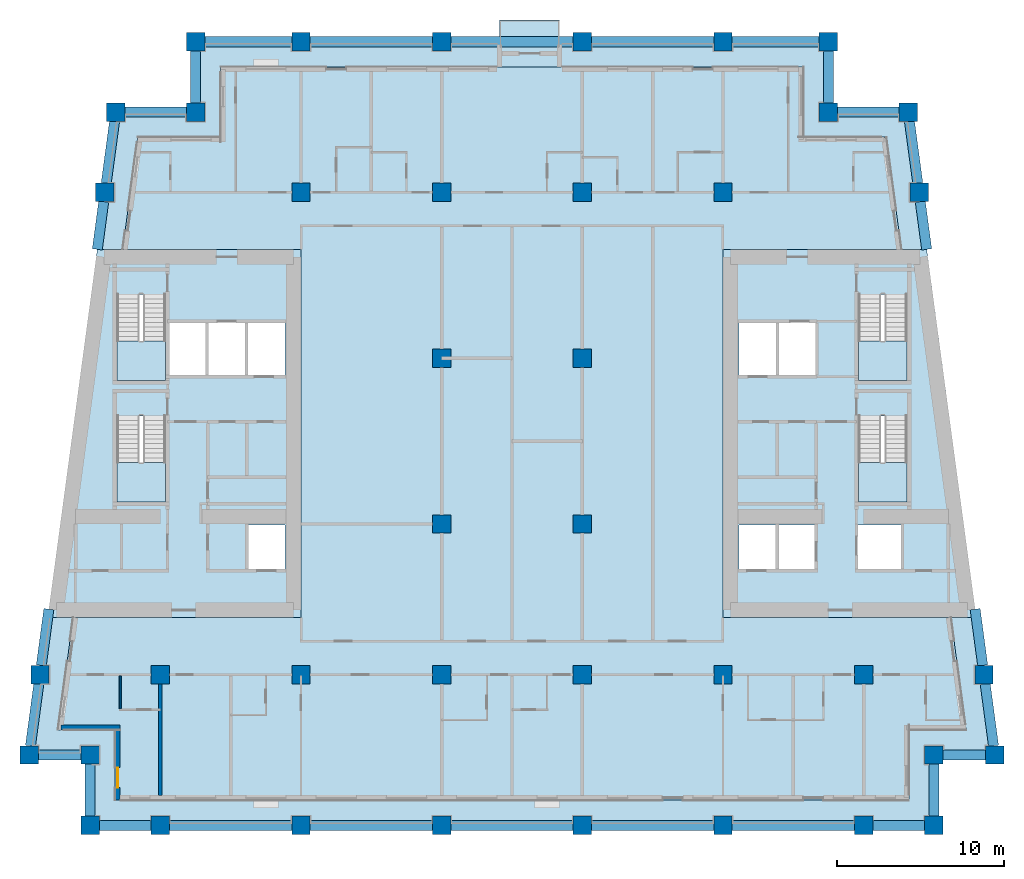
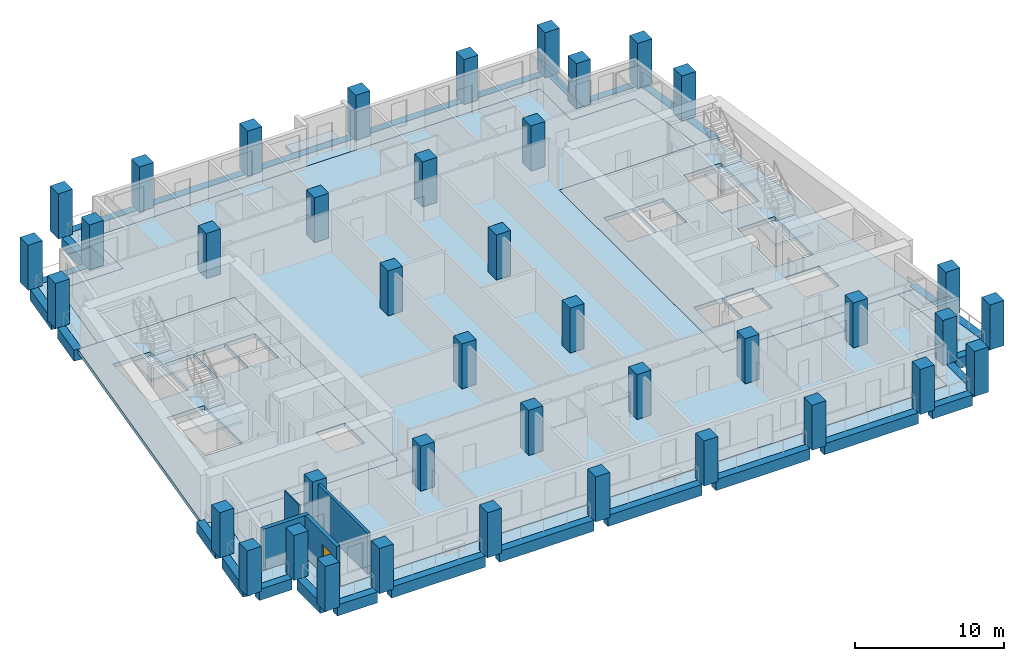
# One storey, part 1 of 13: 40 columns, 28 beams, 10 slabs, 4 walls, 1 door, 1 opening, 4 elements without a shape of their own.
"""IFC4 building model written with IfcOpenShell, lengths in metres."""

from ifc_helpers import new_model, si_unit, direction, frame, frame_2d, origin, origin_2d, place, context, subcontext, project, spatial, polyline, rectangle, outline, extrude, material, layer, layer_set, material_profile, profile_set, type_object, element, fill, aggregate, save


model = new_model("IFC4")

# Units and contexts
model_context = context("Model", 3, precision=1e-05, world=origin(), true_north=direction((0.0, 1.0)))
body_context = subcontext(model_context, "Body", "Model", "MODEL_VIEW")
ifc_project = project(units=[si_unit("LENGTHUNIT", "METRE"), si_unit("AREAUNIT", "SQUARE_METRE"), si_unit("VOLUMEUNIT", "CUBIC_METRE"), si_unit("PLANEANGLEUNIT", "RADIAN"), si_unit("MASSUNIT", "GRAM", prefix="KILO")], contexts=[model_context])

# Site, building, storey
site_placement = place(None, origin())
site = spatial("IfcSite", under=ifc_project, at=site_placement, CompositionType="ELEMENT")
building_placement = place(site_placement, origin())
building = spatial("IfcBuilding", under=site, at=building_placement, Name="Candeia Pilgrim Tower and Theatre", CompositionType="ELEMENT")
storey_placement = place(building_placement, frame((0.0, 0.0, 158.89990234375)))
storey = spatial("IfcBuildingStorey", under=building, at=storey_placement, Name="L37", CompositionType="ELEMENT", Elevation=158.89990234375)

# Columns
ifc_material_1 = material(Name="Concrete C60/75", Category="concrete")
ifc_material_profile_1 = material_profile(ifc_material_1, rectangle(XDim=1.10009765625, YDim=1.10009765625, at=origin_2d()))
ifc_profile_set_1 = profile_set([ifc_material_profile_1], Name="Concrete C60/75")
column_type = type_object("IfcColumnType", Name="RC 1100x1100 C60/75", PredefinedType="COLUMN", material=ifc_profile_set_1)
for number, where, z_axis, x_axis, name in (
    (1, (92.39990234375, 98.0, 0.0), (0.0, 0.0, 1.0), (1.0, 0.0, 0.0), "Column A1"),
    (2, (100.800048828125, 98.0, 0.0), (0.0, 0.0, 1.0), (1.0, 0.0, 0.0), "Column A2"),
    (3, (109.199951171875, 98.0, 0.0), (0.0, 0.0, 1.0), (1.0, 0.0, 0.0), "Column A3"),
    (4, (117.60009765625, 98.0, 0.0), (0.0, 0.0, 1.0), (1.0, 0.0, 0.0), "Column A4"),
    (5, (126.0, 98.0, 0.0), (0.0, 0.0, 1.0), (1.0, 0.0, 0.0), "Column A5"),
    (6, (134.39990234375, 98.0, 0.0), (0.0, 0.0, 1.0), (1.0, 0.0, 0.0), "Column A6"),
    (7, (88.199951171875, 98.0, 0.0), (0.0, 0.0, 1.0), (1.0, 0.0, 0.0), "Column AW"),
    (8, (138.60009765625, 98.0, 0.0), (0.0, 0.0, 1.0), (1.0, 0.0, 0.0), "Column AE"),
    (9, (88.199951171875, 102.199951171875, 0.0), (0.0, 0.0, 1.0), (1.0, 0.0, 0.0), "Column NSW"),
    (10, (138.60009765625, 102.199951171875, 0.0), (0.0, 0.0, 1.0), (1.0, 0.0, 0.0), "Column NSE"),
    (11, (94.5, 140.60009765625, 0.0), (0.0, 0.0, 1.0), (1.0, 0.0, 0.0), "Column NNW"),
    (12, (132.300048828125, 140.60009765625, 0.0), (0.0, 0.0, 1.0), (1.0, 0.0, 0.0), "Column NNE"),
    (13, (84.5654296875, 102.199951171875, 0.0), (0.0, 0.0, 1.0), (1.0, 0.0, 0.0), "Column LSW"),
    (14, (142.234619140625, 102.199951171875, 0.0), (0.0, 0.0, 1.0), (1.0, 0.0, 0.0), "Column LSE"),
    (15, (89.734619140625, 140.60009765625, 0.0), (0.0, 0.0, 1.0), (1.0, 0.0, 0.0), "Column LNW"),
    (16, (137.0654296875, 140.60009765625, 0.0), (0.0, 0.0, 1.0), (1.0, 0.0, 0.0), "Column LNE"),
    (17, (92.39990234375, 107.0, 0.0), (0.0, 0.0, 1.0), (1.0, 0.0, 0.0), "Column B1"),
    (18, (100.800048828125, 107.0, 0.0), (0.0, 0.0, 1.0), (1.0, 0.0, 0.0), "Column B2"),
    (19, (109.199951171875, 107.0, 0.0), (0.0, 0.0, 1.0), (1.0, 0.0, 0.0), "Column B3"),
    (20, (117.60009765625, 107.0, 0.0), (0.0, 0.0, 1.0), (1.0, 0.0, 0.0), "Column B4"),
    (21, (126.0, 107.0, 0.0), (0.0, 0.0, 1.0), (1.0, 0.0, 0.0), "Column B5"),
    (22, (134.39990234375, 107.0, 0.0), (0.0, 0.0, 1.0), (1.0, 0.0, 0.0), "Column B6"),
    (23, (85.21142578125, 107.0, 0.0), (0.0, 0.0, 1.0), (1.0, 0.0, 0.0), "Column BW"),
    (24, (141.58837890625, 107.0, 0.0), (0.0, 0.0, 1.0), (1.0, 0.0, 0.0), "Column BE"),
    (25, (109.199951171875, 116.0, 0.0), (0.0, 0.0, 1.0), (1.0, 0.0, 0.0), "Column C3"),
    (26, (117.60009765625, 116.0, 0.0), (0.0, 0.0, 1.0), (1.0, 0.0, 0.0), "Column C4"),
    (27, (109.199951171875, 125.89990234375, 0.0), (0.0, 0.0, 1.0), (1.0, 0.0, 0.0), "Column D3"),
    (28, (117.60009765625, 125.89990234375, 0.0), (0.0, 0.0, 1.0), (1.0, 0.0, 0.0), "Column D4"),
    (29, (100.800048828125, 135.800048828125, 0.0), (0.0, 0.0, 1.0), (1.0, 0.0, 0.0), "Column E2"),
    (30, (109.199951171875, 135.800048828125, 0.0), (0.0, 0.0, 1.0), (1.0, 0.0, 0.0), "Column E3"),
    (31, (117.60009765625, 135.800048828125, 0.0), (0.0, 0.0, 1.0), (1.0, 0.0, 0.0), "Column E4"),
    (32, (126.0, 135.800048828125, 0.0), (0.0, 0.0, 1.0), (1.0, 0.0, 0.0), "Column E5"),
    (33, (89.08837890625, 135.800048828125, 0.0), (0.0, 0.0, 1.0), (1.0, 0.0, 0.0), "Column EW"),
    (34, (137.71142578125, 135.800048828125, 0.0), (0.0, 0.0, 1.0), (1.0, 0.0, 0.0), "Column EE"),
    (35, (100.800048828125, 144.800048828125, 0.0), (0.0, 0.0, 1.0), (1.0, 0.0, 0.0), "Column F2"),
    (36, (109.199951171875, 144.800048828125, 0.0), (0.0, 0.0, 1.0), (1.0, 0.0, 0.0), "Column F3"),
    (37, (117.60009765625, 144.800048828125, 0.0), (0.0, 0.0, 1.0), (1.0, 0.0, 0.0), "Column F4"),
    (38, (126.0, 144.800048828125, 0.0), (0.0, 0.0, 1.0), (1.0, 0.0, 0.0), "Column F5"),
    (39, (94.5, 144.800048828125, 0.0), (0.0, 0.0, 1.0), (1.0, 0.0, 0.0), "Column FW"),
    (40, (132.300048828125, 144.800048828125, 0.0), (0.0, 0.0, 1.0), (1.0, 0.0, 0.0), "Column FE"),
):
    element("IfcColumn", number, at=place(storey_placement, frame(where, z_axis=z_axis, x_axis=x_axis)), inside=storey, type_object=column_type, Name=name, PredefinedType="COLUMN", context=body_context, shape_type="SweptSolid", body=[
        extrude(rectangle(XDim=1.10009765625, YDim=1.10009765625, at=origin_2d()), origin(), (0.0, 0.0, 1.0), 3.7001953125),
    ])

# Beams
ifc_material_profile_2 = material_profile(ifc_material_1, rectangle(XDim=0.60009765625, YDim=0.89990234375, at=origin_2d()))
ifc_profile_set_2 = profile_set([ifc_material_profile_2], Name="Concrete C60/75")
beam_type = type_object("IfcBeamType", Name="RC 600x900 C60/75", PredefinedType="BEAM", material=ifc_profile_set_2)
beam_1_placement = place(storey_placement, frame((88.75, 98.0, -0.449951171875), z_axis=(1.0, 0.0, 0.0), x_axis=(0.0, 1.0, 0.0)))
element("IfcBeam", 41, at=beam_1_placement, inside=storey, type_object=beam_type, Name="Spandrel beam L37-01", PredefinedType="BEAM", context=body_context, shape_type="SweptSolid", body=[
    extrude(rectangle(XDim=0.60009765625, YDim=0.89990234375, at=origin_2d()), origin(), (0.0, 0.0, 1.0), 3.10009765625),
])
beam_2_placement = place(storey_placement, frame((92.949951171875, 98.0, -0.449951171875), z_axis=(1.0, 0.0, 0.0), x_axis=(0.0, 1.0, 0.0)))
element("IfcBeam", 42, at=beam_2_placement, inside=storey, type_object=beam_type, Name="Spandrel beam L37-02", PredefinedType="BEAM", context=body_context, shape_type="SweptSolid", body=[
    extrude(rectangle(XDim=0.60009765625, YDim=0.89990234375, at=origin_2d()), origin(), (0.0, 0.0, 1.0), 7.300048828125),
])
beam_3_placement = place(storey_placement, frame((101.35009765625, 98.0, -0.449951171875), z_axis=(1.0, 0.0, 0.0), x_axis=(0.0, 1.0, 0.0)))
element("IfcBeam", 43, at=beam_3_placement, inside=storey, type_object=beam_type, Name="Spandrel beam L37-03", PredefinedType="BEAM", context=body_context, shape_type="SweptSolid", body=[
    extrude(rectangle(XDim=0.60009765625, YDim=0.89990234375, at=origin_2d()), origin(), (0.0, 0.0, 1.0), 7.2998046875),
])
for number, where, z_axis, x_axis, name in (
    (44, (109.75, 98.0, -0.449951171875), (1.0, 0.0, 0.0), (0.0, 1.0, 0.0), "Spandrel beam L37-04"),
    (45, (118.14990234375, 98.0, -0.449951171875), (1.0, 0.0, 0.0), (0.0, 1.0, 0.0), "Spandrel beam L37-05"),
    (46, (126.550048828125, 98.0, -0.449951171875), (1.0, 0.0, 0.0), (0.0, 1.0, 0.0), "Spandrel beam L37-06"),
):
    element("IfcBeam", number, at=place(storey_placement, frame(where, z_axis=z_axis, x_axis=x_axis)), inside=storey, type_object=beam_type, Name=name, PredefinedType="BEAM", context=body_context, shape_type="SweptSolid", body=[
        extrude(rectangle(XDim=0.60009765625, YDim=0.89990234375, at=origin_2d()), origin(), (0.0, 0.0, 1.0), 7.300048828125),
    ])
beam_4_placement = place(storey_placement, frame((134.949951171875, 98.0, -0.449951171875), z_axis=(1.0, 0.0, 0.0), x_axis=(0.0, 1.0, 0.0)))
element("IfcBeam", 47, at=beam_4_placement, inside=storey, type_object=beam_type, Name="Spandrel beam L37-07", PredefinedType="BEAM", context=body_context, shape_type="SweptSolid", body=[
    extrude(rectangle(XDim=0.60009765625, YDim=0.89990234375, at=origin_2d()), origin(), (0.0, 0.0, 1.0), 3.10009765625),
])
beam_5_placement = place(storey_placement, frame((138.60009765625, 98.550048828125, -0.449951171875), z_axis=(0.0, 1.0, 0.0), x_axis=(-1.0, 0.0, 0.0)))
element("IfcBeam", 48, at=beam_5_placement, inside=storey, type_object=beam_type, Name="Spandrel beam L37-08", PredefinedType="BEAM", context=body_context, shape_type="SweptSolid", body=[
    extrude(rectangle(XDim=0.60009765625, YDim=0.89990234375, at=origin_2d()), origin(), (0.0, 0.0, 1.0), 3.099853515625),
])
beam_6_placement = place(storey_placement, frame((139.14990234375, 102.199951171875, -0.449951171875), z_axis=(1.0, 0.0, 0.0), x_axis=(0.0, 1.0, 0.0)))
element("IfcBeam", 49, at=beam_6_placement, inside=storey, type_object=beam_type, Name="Spandrel beam L37-09", PredefinedType="BEAM", context=body_context, shape_type="SweptSolid", body=[
    extrude(rectangle(XDim=0.60009765625, YDim=0.89990234375, at=origin_2d()), origin(), (0.0, 0.0, 1.0), 2.53466796875),
])
beam_7_placement = place(storey_placement, frame((142.16064453125, 102.75, -0.449951171875), z_axis=(-0.133405836075, 0.991061492997, 0.0), x_axis=(-0.991061492997, -0.133405836075, 0.0)))
element("IfcBeam", 50, at=beam_7_placement, inside=storey, type_object=beam_type, Name="Spandrel beam L37-10", PredefinedType="BEAM", context=body_context, shape_type="SweptSolid", body=[
    extrude(rectangle(XDim=0.60009765625, YDim=0.89990234375, at=origin_2d()), origin(), (0.0, 0.0, 1.0), 3.7333984375),
])
beam_8_placement = place(storey_placement, frame((141.514404296875, 107.550048828125, -0.449951171875), z_axis=(-0.133432414187, 0.99105791498, 0.0), x_axis=(-0.99105791498, -0.133432414187, 0.0)))
element("IfcBeam", 51, at=beam_8_placement, inside=storey, type_object=beam_type, Name="Spandrel beam L37-11", PredefinedType="BEAM", context=body_context, shape_type="SweptSolid", body=[
    extrude(rectangle(XDim=0.60009765625, YDim=0.89990234375, at=origin_2d()), origin(), (0.0, 0.0, 1.0), 3.390380859375),
])
beam_9_placement = place(storey_placement, frame((138.169189453125, 132.39990234375, -0.449951171875), z_axis=(-0.133370319951, 0.99106627314, 0.0), x_axis=(-0.99106627314, -0.133370319951, 0.0)))
element("IfcBeam", 52, at=beam_9_placement, inside=storey, type_object=beam_type, Name="Spandrel beam L37-12", PredefinedType="BEAM", context=body_context, shape_type="SweptSolid", body=[
    extrude(rectangle(XDim=0.60009765625, YDim=0.89990234375, at=origin_2d()), origin(), (0.0, 0.0, 1.0), 2.875732421875),
])
beam_10_placement = place(storey_placement, frame((137.637451171875, 136.35009765625, -0.449951171875), z_axis=(-0.133405836075, 0.991061492997, 0.0), x_axis=(-0.991061492997, -0.133405836075, 0.0)))
element("IfcBeam", 53, at=beam_10_placement, inside=storey, type_object=beam_type, Name="Spandrel beam L37-13", PredefinedType="BEAM", context=body_context, shape_type="SweptSolid", body=[
    extrude(rectangle(XDim=0.60009765625, YDim=0.89990234375, at=origin_2d()), origin(), (0.0, 0.0, 1.0), 3.7333984375),
])
beam_11_placement = place(storey_placement, frame((136.515380859375, 140.60009765625, -0.449951171875), z_axis=(-1.0, 0.0, 0.0), x_axis=(0.0, -1.0, 0.0)))
element("IfcBeam", 54, at=beam_11_placement, inside=storey, type_object=beam_type, Name="Spandrel beam L37-14", PredefinedType="BEAM", context=body_context, shape_type="SweptSolid", body=[
    extrude(rectangle(XDim=0.60009765625, YDim=0.89990234375, at=origin_2d()), origin(), (0.0, 0.0, 1.0), 3.665283203125),
])
beam_12_placement = place(storey_placement, frame((132.300048828125, 141.14990234375, -0.449951171875), z_axis=(0.0, 1.0, 0.0), x_axis=(-1.0, 0.0, 0.0)))
element("IfcBeam", 55, at=beam_12_placement, inside=storey, type_object=beam_type, Name="Spandrel beam L37-15", PredefinedType="BEAM", context=body_context, shape_type="SweptSolid", body=[
    extrude(rectangle(XDim=0.60009765625, YDim=0.89990234375, at=origin_2d()), origin(), (0.0, 0.0, 1.0), 3.10009765625),
])
beam_13_placement = place(storey_placement, frame((131.75, 144.800048828125, -0.449951171875), z_axis=(-1.0, 0.0, 0.0), x_axis=(0.0, -1.0, 0.0)))
element("IfcBeam", 56, at=beam_13_placement, inside=storey, type_object=beam_type, Name="Spandrel beam L37-16", PredefinedType="BEAM", context=body_context, shape_type="SweptSolid", body=[
    extrude(rectangle(XDim=0.60009765625, YDim=0.89990234375, at=origin_2d()), origin(), (0.0, 0.0, 1.0), 5.199951171875),
])
for number, where, z_axis, x_axis, name in (
    (57, (125.449951171875, 144.800048828125, -0.449951171875), (-1.0, 0.0, 0.0), (0.0, -1.0, 0.0), "Spandrel beam L37-17"),
    (58, (117.050048828125, 144.800048828125, -0.449951171875), (-1.0, 0.0, 0.0), (0.0, -1.0, 0.0), "Spandrel beam L37-18"),
):
    element("IfcBeam", number, at=place(storey_placement, frame(where, z_axis=z_axis, x_axis=x_axis)), inside=storey, type_object=beam_type, Name=name, PredefinedType="BEAM", context=body_context, shape_type="SweptSolid", body=[
        extrude(rectangle(XDim=0.60009765625, YDim=0.89990234375, at=origin_2d()), origin(), (0.0, 0.0, 1.0), 7.300048828125),
    ])
beam_14_placement = place(storey_placement, frame((108.64990234375, 144.800048828125, -0.449951171875), z_axis=(-1.0, 0.0, 0.0), x_axis=(0.0, -1.0, 0.0)))
element("IfcBeam", 59, at=beam_14_placement, inside=storey, type_object=beam_type, Name="Spandrel beam L37-19", PredefinedType="BEAM", context=body_context, shape_type="SweptSolid", body=[
    extrude(rectangle(XDim=0.60009765625, YDim=0.89990234375, at=origin_2d()), origin(), (0.0, 0.0, 1.0), 7.2998046875),
])
beam_15_placement = place(storey_placement, frame((100.25, 144.800048828125, -0.449951171875), z_axis=(-1.0, 0.0, 0.0), x_axis=(0.0, -1.0, 0.0)))
element("IfcBeam", 60, at=beam_15_placement, inside=storey, type_object=beam_type, Name="Spandrel beam L37-20", PredefinedType="BEAM", context=body_context, shape_type="SweptSolid", body=[
    extrude(rectangle(XDim=0.60009765625, YDim=0.89990234375, at=origin_2d()), origin(), (0.0, 0.0, 1.0), 5.199951171875),
])
beam_16_placement = place(storey_placement, frame((94.5, 144.25, -0.449951171875), z_axis=(0.0, -1.0, 0.0), x_axis=(1.0, 0.0, 0.0)))
element("IfcBeam", 61, at=beam_16_placement, inside=storey, type_object=beam_type, Name="Spandrel beam L37-21", PredefinedType="BEAM", context=body_context, shape_type="SweptSolid", body=[
    extrude(rectangle(XDim=0.60009765625, YDim=0.89990234375, at=origin_2d()), origin(), (0.0, 0.0, 1.0), 3.10009765625),
])
beam_17_placement = place(storey_placement, frame((93.949951171875, 140.60009765625, -0.449951171875), z_axis=(-1.0, 0.0, 0.0), x_axis=(0.0, -1.0, 0.0)))
element("IfcBeam", 62, at=beam_17_placement, inside=storey, type_object=beam_type, Name="Spandrel beam L37-22", PredefinedType="BEAM", context=body_context, shape_type="SweptSolid", body=[
    extrude(rectangle(XDim=0.60009765625, YDim=0.89990234375, at=origin_2d()), origin(), (0.0, 0.0, 1.0), 3.665283203125),
])
beam_18_placement = place(storey_placement, frame((89.66064453125, 140.050048828125, -0.449951171875), z_axis=(-0.133405836075, -0.991061492997, 0.0), x_axis=(0.991061492997, -0.133405836075, 0.0)))
element("IfcBeam", 63, at=beam_18_placement, inside=storey, type_object=beam_type, Name="Spandrel beam L37-23", PredefinedType="BEAM", context=body_context, shape_type="SweptSolid", body=[
    extrude(rectangle(XDim=0.60009765625, YDim=0.89990234375, at=origin_2d()), origin(), (0.0, 0.0, 1.0), 3.7333984375),
])
beam_19_placement = place(storey_placement, frame((89.014404296875, 135.25, -0.449951171875), z_axis=(-0.133370319951, -0.99106627314, 0.0), x_axis=(0.99106627314, -0.133370319951, 0.0)))
element("IfcBeam", 64, at=beam_19_placement, inside=storey, type_object=beam_type, Name="Spandrel beam L37-24", PredefinedType="BEAM", context=body_context, shape_type="SweptSolid", body=[
    extrude(rectangle(XDim=0.60009765625, YDim=0.89990234375, at=origin_2d()), origin(), (0.0, 0.0, 1.0), 2.875732421875),
])
beam_20_placement = place(storey_placement, frame((85.73779296875, 110.91015625, -0.449951171875), z_axis=(-0.133361686371, -0.991067434945, 0.0), x_axis=(0.991067434945, -0.133361686371, 0.0)))
element("IfcBeam", 65, at=beam_20_placement, inside=storey, type_object=beam_type, Name="Spandrel beam L37-25", PredefinedType="BEAM", context=body_context, shape_type="SweptSolid", body=[
    extrude(rectangle(XDim=0.60009765625, YDim=0.89990234375, at=origin_2d()), origin(), (0.0, 0.0, 1.0), 3.390380859375),
])
beam_21_placement = place(storey_placement, frame((85.137451171875, 106.449951171875, -0.449951171875), z_axis=(-0.133405836075, -0.991061492997, 0.0), x_axis=(0.991061492997, -0.133405836075, 0.0)))
element("IfcBeam", 66, at=beam_21_placement, inside=storey, type_object=beam_type, Name="Spandrel beam L37-26", PredefinedType="BEAM", context=body_context, shape_type="SweptSolid", body=[
    extrude(rectangle(XDim=0.60009765625, YDim=0.89990234375, at=origin_2d()), origin(), (0.0, 0.0, 1.0), 3.7333984375),
])
beam_22_placement = place(storey_placement, frame((85.115478515625, 102.199951171875, -0.449951171875), z_axis=(1.0, 0.0, 0.0), x_axis=(0.0, 1.0, 0.0)))
element("IfcBeam", 67, at=beam_22_placement, inside=storey, type_object=beam_type, Name="Spandrel beam L37-27", PredefinedType="BEAM", context=body_context, shape_type="SweptSolid", body=[
    extrude(rectangle(XDim=0.60009765625, YDim=0.89990234375, at=origin_2d()), origin(), (0.0, 0.0, 1.0), 2.534423828125),
])
beam_23_placement = place(storey_placement, frame((88.199951171875, 101.64990234375, -0.449951171875), z_axis=(0.0, -1.0, 0.0), x_axis=(1.0, 0.0, 0.0)))
element("IfcBeam", 68, at=beam_23_placement, inside=storey, type_object=beam_type, Name="Spandrel beam L37-28", PredefinedType="BEAM", context=body_context, shape_type="SweptSolid", body=[
    extrude(rectangle(XDim=0.60009765625, YDim=0.89990234375, at=origin_2d()), origin(), (0.0, 0.0, 1.0), 3.099853515625),
])

# Slabs
ifc_material_2 = material(Name="Concrete C40/50", Category="concrete")
ifc_layer_1 = layer(ifc_material_2, 0.25)
ifc_layer_set_1 = layer_set([ifc_layer_1], Name="BK1 balcony slab 250")
slab_type_1 = type_object("IfcSlabType", Name="BK1 balcony slab 250", PredefinedType="USERDEFINED", material=ifc_layer_set_1)
slab_1_placement = place(storey_placement, frame((0.0, 0.0, -0.25)))
element("IfcSlab", 69, at=slab_1_placement, inside=storey, type_object=slab_type_1, Name="Balcony L37", ObjectType="BALCONY", PredefinedType="USERDEFINED", context=body_context, shape_type="SweptSolid", body=[
    extrude(outline(polyline([(112.64990234375, 144.5), (116.25, 144.5), (116.25, 146.10009765625), (112.64990234375, 146.10009765625), (112.64990234375, 144.5)])), origin(), (0.0, 0.0, 1.0), 0.25),
])
ifc_layer_2 = layer(ifc_material_1, 0.320068359375)
ifc_layer_set_2 = layer_set([ifc_layer_2], Name="FS-CORE 320 core floor")
slab_type_2 = type_object("IfcSlabType", Name="FS-CORE 320 core floor", PredefinedType="FLOOR", material=ifc_layer_set_2)
slab_2_placement = place(storey_placement, frame((0.0, 0.0, -0.31982421875)))
element("IfcSlab", 70, at=slab_2_placement, inside=storey, type_object=slab_type_2, Name="Core floor W L37", PredefinedType="FLOOR", context=body_context, shape_type="SweptSolid", body=[
    extrude(outline(polyline([(100.800048828125, 132.39990234375), (100.800048828125, 110.39990234375), (85.669189453125, 110.39990234375), (88.630859375, 132.39990234375), (100.800048828125, 132.39990234375)]), holes=[polyline([(97.59228515625, 128.050048828125), (97.59228515625, 124.85009765625), (99.85009765625, 124.85009765625), (99.85009765625, 128.050048828125), (97.59228515625, 128.050048828125)]), polyline([(97.613525390625, 113.25), (99.85009765625, 113.25), (99.85009765625, 115.949951171875), (97.613525390625, 115.949951171875), (97.613525390625, 113.25)]), polyline([(95.234619140625, 124.85009765625), (97.4921875, 124.85009765625), (97.4921875, 128.050048828125), (95.234619140625, 128.050048828125), (95.234619140625, 124.85009765625)]), polyline([(92.876953125, 128.050048828125), (92.876953125, 124.85009765625), (95.134765625, 124.85009765625), (95.134765625, 128.050048828125), (92.876953125, 128.050048828125)]), polyline([(89.802001953125, 122.455078125), (89.802001953125, 117.324951171875), (92.701904296875, 117.324951171875), (92.701904296875, 122.455078125), (89.802001953125, 122.455078125)]), polyline([(89.802001953125, 129.705078125), (89.802001953125, 124.574951171875), (92.701904296875, 124.574951171875), (92.701904296875, 129.705078125), (89.802001953125, 129.705078125)])]), origin(), (0.0, 0.0, 1.0), 0.31982421875),
])
slab_3_placement = place(storey_placement, frame((0.0, 0.0, -0.31982421875)))
element("IfcSlab", 71, at=slab_3_placement, inside=storey, type_object=slab_type_2, Name="Core floor E L37", PredefinedType="FLOOR", context=body_context, shape_type="SweptSolid", body=[
    extrude(outline(polyline([(138.169189453125, 132.39990234375), (141.130859375, 110.39990234375), (126.0, 110.39990234375), (126.0, 132.39990234375), (138.169189453125, 132.39990234375)]), holes=[polyline([(134.097900390625, 122.455078125), (134.097900390625, 117.324951171875), (136.998046875, 117.324951171875), (136.998046875, 122.455078125), (134.097900390625, 122.455078125)]), polyline([(134.097900390625, 129.705078125), (134.097900390625, 124.574951171875), (136.998046875, 124.574951171875), (136.998046875, 129.705078125), (134.097900390625, 129.705078125)]), polyline([(136.672607421875, 115.949951171875), (134.02294921875, 115.949951171875), (134.02294921875, 113.25), (136.672607421875, 113.25), (136.672607421875, 115.949951171875)]), polyline([(131.565185546875, 128.050048828125), (129.3076171875, 128.050048828125), (129.3076171875, 124.85009765625), (131.565185546875, 124.85009765625), (131.565185546875, 128.050048828125)]), polyline([(131.52294921875, 115.949951171875), (129.28662109375, 115.949951171875), (129.28662109375, 113.25), (131.52294921875, 113.25), (131.52294921875, 115.949951171875)]), polyline([(129.207763671875, 128.050048828125), (126.949951171875, 128.050048828125), (126.949951171875, 124.85009765625), (129.207763671875, 124.85009765625), (129.207763671875, 128.050048828125)]), polyline([(126.949951171875, 115.949951171875), (126.949951171875, 113.25), (129.1865234375, 113.25), (129.1865234375, 115.949951171875), (126.949951171875, 115.949951171875)])]), origin(), (0.0, 0.0, 1.0), 0.31982421875),
])
ifc_material_3 = material(Name="Concrete C50/60", Category="concrete")
ifc_layer_3 = layer(ifc_material_3, 0.320068359375)
ifc_layer_set_3 = layer_set([ifc_layer_3], Name="Floor slab 320 C50/60")
slab_type_3 = type_object("IfcSlabType", Name="Floor slab 320 C50/60", PredefinedType="FLOOR", material=ifc_layer_set_3)
slab_4_placement = place(storey_placement, frame((0.0, 0.0, -0.31982421875)))
element("IfcSlab", 72, at=slab_4_placement, inside=storey, type_object=slab_type_3, Name="Floor slab L37", PredefinedType="FLOOR", context=body_context, shape_type="SweptSolid", body=[
    extrude(outline(polyline([(96.0, 139.10009765625), (96.0, 143.300048828125), (130.800048828125, 143.300048828125), (130.800048828125, 139.10009765625), (135.753662109375, 139.10009765625), (136.65576171875, 132.39990234375), (126.0, 132.39990234375), (126.0, 110.39990234375), (139.6171875, 110.39990234375), (140.51904296875, 103.699951171875), (137.10009765625, 103.699951171875), (137.10009765625, 99.5), (89.699951171875, 99.5), (89.699951171875, 103.699951171875), (86.28076171875, 103.699951171875), (87.182861328125, 110.39990234375), (100.800048828125, 110.39990234375), (100.800048828125, 132.39990234375), (90.144287109375, 132.39990234375), (91.046142578125, 139.10009765625), (96.0, 139.10009765625)])), origin(), (0.0, 0.0, 1.0), 0.31982421875),
])
ifc_layer_4 = layer(ifc_material_2, 0.25)
ifc_layer_set_4 = layer_set([ifc_layer_4], Name="Loggia slab 250 C40/50")
slab_type_4 = type_object("IfcSlabType", Name="Loggia slab 250 C40/50", PredefinedType="FLOOR", material=ifc_layer_set_4)
slab_5_placement = place(storey_placement, frame((0.0, 0.0, -0.25)))
element("IfcSlab", 73, at=slab_5_placement, inside=storey, type_object=slab_type_4, Name="Loggia slab L37 1", PredefinedType="FLOOR", context=body_context, shape_type="SweptSolid", body=[
    extrude(outline(polyline([(87.182861328125, 110.39990234375), (86.28076171875, 103.699951171875), (89.699951171875, 103.699951171875), (89.699951171875, 99.5), (137.10009765625, 99.5), (137.10009765625, 103.699951171875), (140.51904296875, 103.699951171875), (139.6171875, 110.39990234375), (140.828125, 110.39990234375), (141.8916015625, 102.5), (138.300048828125, 102.5), (138.300048828125, 98.300048828125), (88.5, 98.300048828125), (88.5, 102.5), (84.908447265625, 102.5), (85.971923828125, 110.39990234375), (87.182861328125, 110.39990234375)])), origin(), (0.0, 0.0, 1.0), 0.25),
])
slab_6_placement = place(storey_placement, frame((0.0, 0.0, -0.25)))
element("IfcSlab", 74, at=slab_6_placement, inside=storey, type_object=slab_type_4, Name="Loggia slab L37 2", PredefinedType="FLOOR", context=body_context, shape_type="SweptSolid", body=[
    extrude(outline(polyline([(136.65576171875, 132.39990234375), (135.753662109375, 139.10009765625), (130.800048828125, 139.10009765625), (130.800048828125, 143.300048828125), (96.0, 143.300048828125), (96.0, 139.10009765625), (91.046142578125, 139.10009765625), (90.144287109375, 132.39990234375), (88.93359375, 132.39990234375), (89.996826171875, 140.300048828125), (94.800048828125, 140.300048828125), (94.800048828125, 144.5), (132.0, 144.5), (132.0, 140.300048828125), (136.802978515625, 140.300048828125), (137.866455078125, 132.39990234375), (136.65576171875, 132.39990234375)])), origin(), (0.0, 0.0, 1.0), 0.25),
])

# Stair, slab
stair_type = type_object("IfcStairType", Name="ST-TWR dog-leg escape stair", PredefinedType="HALF_TURN_STAIR", material=ifc_material_2)
stair_1_placement = place(storey_placement, origin())
stair_1 = element("IfcStair", 75, at=stair_1_placement, inside=storey, type_object=stair_type, Name="L37 Escape stair ST1", PredefinedType="HALF_TURN_STAIR")
ifc_layer_5 = layer(ifc_material_2, 0.199951171875)
ifc_layer_set_5 = layer_set([ifc_layer_5], Name="SL-LANDING stair landing")
slab_type_5 = type_object("IfcSlabType", Name="SL-LANDING stair landing", PredefinedType="LANDING", material=ifc_layer_set_5)
slab_7_placement = place(storey_placement, frame((0.0, 0.0, 1.650146484375)))
slab_7 = element("IfcSlab", 76, at=slab_7_placement, type_object=slab_type_5, Name="ST1 landing 1", PredefinedType="LANDING", context=body_context, shape_type="SweptSolid", body=[
    extrude(outline(polyline([(89.802001953125, 119.675048828125), (89.802001953125, 117.324951171875), (92.701904296875, 117.324951171875), (92.701904296875, 119.675048828125), (89.802001953125, 119.675048828125)])), origin(), (0.0, 0.0, 1.0), 0.199951171875),
])
aggregate(stair_1, [slab_7])

stair_2_placement = place(storey_placement, origin())
stair_2 = element("IfcStair", 77, at=stair_2_placement, inside=storey, type_object=stair_type, Name="L37 Escape stair ST2", PredefinedType="HALF_TURN_STAIR")
slab_8_placement = place(storey_placement, frame((0.0, 0.0, 1.650146484375)))
slab_8 = element("IfcSlab", 78, at=slab_8_placement, type_object=slab_type_5, Name="ST2 landing 1", PredefinedType="LANDING", context=body_context, shape_type="SweptSolid", body=[
    extrude(outline(polyline([(89.802001953125, 126.925048828125), (89.802001953125, 124.574951171875), (92.701904296875, 124.574951171875), (92.701904296875, 126.925048828125), (89.802001953125, 126.925048828125)])), origin(), (0.0, 0.0, 1.0), 0.199951171875),
])
aggregate(stair_2, [slab_8])

stair_3_placement = place(storey_placement, origin())
stair_3 = element("IfcStair", 79, at=stair_3_placement, inside=storey, type_object=stair_type, Name="L37 Escape stair ST3", PredefinedType="HALF_TURN_STAIR")
slab_9_placement = place(storey_placement, frame((0.0, 0.0, 1.650146484375)))
slab_9 = element("IfcSlab", 80, at=slab_9_placement, type_object=slab_type_5, Name="ST3 landing 1", PredefinedType="LANDING", context=body_context, shape_type="SweptSolid", body=[
    extrude(outline(polyline([(134.097900390625, 119.675048828125), (134.097900390625, 117.324951171875), (136.998046875, 117.324951171875), (136.998046875, 119.675048828125), (134.097900390625, 119.675048828125)])), origin(), (0.0, 0.0, 1.0), 0.199951171875),
])
aggregate(stair_3, [slab_9])

stair_4_placement = place(storey_placement, origin())
stair_4 = element("IfcStair", 81, at=stair_4_placement, inside=storey, type_object=stair_type, Name="L37 Escape stair ST4", PredefinedType="HALF_TURN_STAIR")
slab_10_placement = place(storey_placement, frame((0.0, 0.0, 1.650146484375)))
slab_10 = element("IfcSlab", 82, at=slab_10_placement, type_object=slab_type_5, Name="ST4 landing 1", PredefinedType="LANDING", context=body_context, shape_type="SweptSolid", body=[
    extrude(outline(polyline([(134.097900390625, 126.925048828125), (134.097900390625, 124.574951171875), (136.998046875, 124.574951171875), (136.998046875, 126.925048828125), (134.097900390625, 126.925048828125)])), origin(), (0.0, 0.0, 1.0), 0.199951171875),
])
aggregate(stair_4, [slab_10])

# Wall
ifc_material_4 = material(Name="Ceramic block masonry", Category="masonry")
ifc_layer_6 = layer(ifc_material_4, 0.300048828125)
ifc_layer_set_6 = layer_set([ifc_layer_6], Name="EW1 glazing-line wall 300")
wall_type_1 = type_object("IfcWallType", Name="EW1 glazing-line wall 300", PredefinedType="SOLIDWALL", material=ifc_layer_set_6)
wall_1_placement = place(storey_placement, frame((86.452392578125, 103.85009765625, 0.0), z_axis=(0.0, 0.0, 1.0), x_axis=(1.0, 0.0, 0.0)))
element("IfcWall", 83, at=wall_1_placement, inside=storey, type_object=wall_type_1, Name="External wall L37-10.0", PredefinedType="SOLIDWALL", context=body_context, shape_type="SweptSolid", body=[
    extrude(rectangle(XDim=3.547607421875, YDim=0.300048828125, at=frame_2d((1.77392578125, 0.0))), origin(), (0.0, 0.0, 1.0), 3.380126953125),
])

# Wall, opening, door
wall_2_placement = place(storey_placement, frame((89.85009765625, 103.85009765625, 0.0), z_axis=(0.0, 0.0, 1.0), x_axis=(0.0, -1.0, 0.0)))
wall_2 = element("IfcWall", 84, at=wall_2_placement, inside=storey, type_object=wall_type_1, Name="External wall L37-11.0", PredefinedType="SOLIDWALL", context=body_context, shape_type="SweptSolid", body=[
    extrude(rectangle(XDim=4.35009765625, YDim=0.300048828125, at=frame_2d((2.175048828125, 0.0))), origin(), (0.0, 0.0, 1.0), 3.380126953125),
])
opening_placement = place(wall_2_placement, frame((2.39990234375, 0.0, 0.0)))
opening = element("IfcOpeningElement", 85, at=opening_placement, cuts=wall_2, Name="Opening L37-ED363", PredefinedType="OPENING", context=body_context, shape_type="SweptSolid", body=[
    extrude(rectangle(XDim=1.199951171875, YDim=2.39990234375, at=frame_2d((0.60009765625, 1.199951171875))), frame((0.0, 0.16015625, 0.0), z_axis=(0.0, -1.0, 0.0), x_axis=(1.0, 0.0, 0.0)), (0.0, 0.0, 1.0), 0.320068359375),
])
ifc_material_5 = material(Name="Aluminium framed glazed door", Category="aluminium")
door_type = type_object("IfcDoorType", Name="Loggia door 1200x2400", OperationType="DOUBLE_DOOR_SINGLE_SWING", PredefinedType="DOOR", material=ifc_material_5)
door_placement = place(opening_placement, origin())
door = element("IfcDoor", 86, at=door_placement, inside=storey, type_object=door_type, Name="Loggia door L37-ED363", OperationType="DOUBLE_DOOR_SINGLE_SWING", OverallHeight=2.39990234375, OverallWidth=1.199951171875, PredefinedType="DOOR", context=body_context, shape_type="SweptSolid", body=[
    extrude(rectangle(XDim=1.199951171875, YDim=2.39990234375, at=frame_2d((0.60009765625, 1.199951171875))), frame((0.0, 0.02490234375, 0.0), z_axis=(0.0, -1.0, 0.0), x_axis=(1.0, 0.0, 0.0)), (0.0, 0.0, 1.0), 0.050048828125),
])
fill(opening, door)

# Walls
ifc_material_6 = material(Name="Gypsum board partition on steel studs", Category="steel")
ifc_layer_7 = layer(ifc_material_6, 0.10009765625)
ifc_layer_set_7 = layer_set([ifc_layer_7], Name="PW-100 room partition")
wall_type_2 = type_object("IfcWallType", Name="PW-100 room partition", PredefinedType="PARTITIONING", material=ifc_layer_set_7)
wall_3_placement = place(storey_placement, frame((90.0, 104.949951171875, 0.0), z_axis=(0.0, 0.0, 1.0), x_axis=(0.0, 1.0, 0.0)))
element("IfcWall", 87, at=wall_3_placement, inside=storey, type_object=wall_type_2, Name="Room partition L37-053", PredefinedType="PARTITIONING", context=body_context, shape_type="SweptSolid", body=[
    extrude(rectangle(XDim=1.97509765625, YDim=0.10009765625, at=frame_2d((0.987548828125, 0.0))), origin(), (0.0, 0.0, 1.0), 3.380126953125),
])
ifc_layer_8 = layer(ifc_material_6, 0.199951171875)
ifc_layer_set_8 = layer_set([ifc_layer_8], Name="PW-200 party wall")
wall_type_3 = type_object("IfcWallType", Name="PW-200 party wall", PredefinedType="PARTITIONING", material=ifc_layer_set_8)
wall_4_placement = place(storey_placement, frame((92.39990234375, 99.7900390625, 0.0), z_axis=(0.0, 0.0, 1.0), x_axis=(0.0, 1.0, 0.0)))
element("IfcWall", 88, at=wall_4_placement, inside=storey, type_object=wall_type_3, Name="Party wall L37-055", PredefinedType="PARTITIONING", context=body_context, shape_type="SweptSolid", body=[
    extrude(rectangle(XDim=7.135009765625, YDim=0.199951171875, at=frame_2d((3.5673828125, 0.0))), origin(), (0.0, 0.0, 1.0), 3.380126953125),
])

save(model, "model.ifc")
